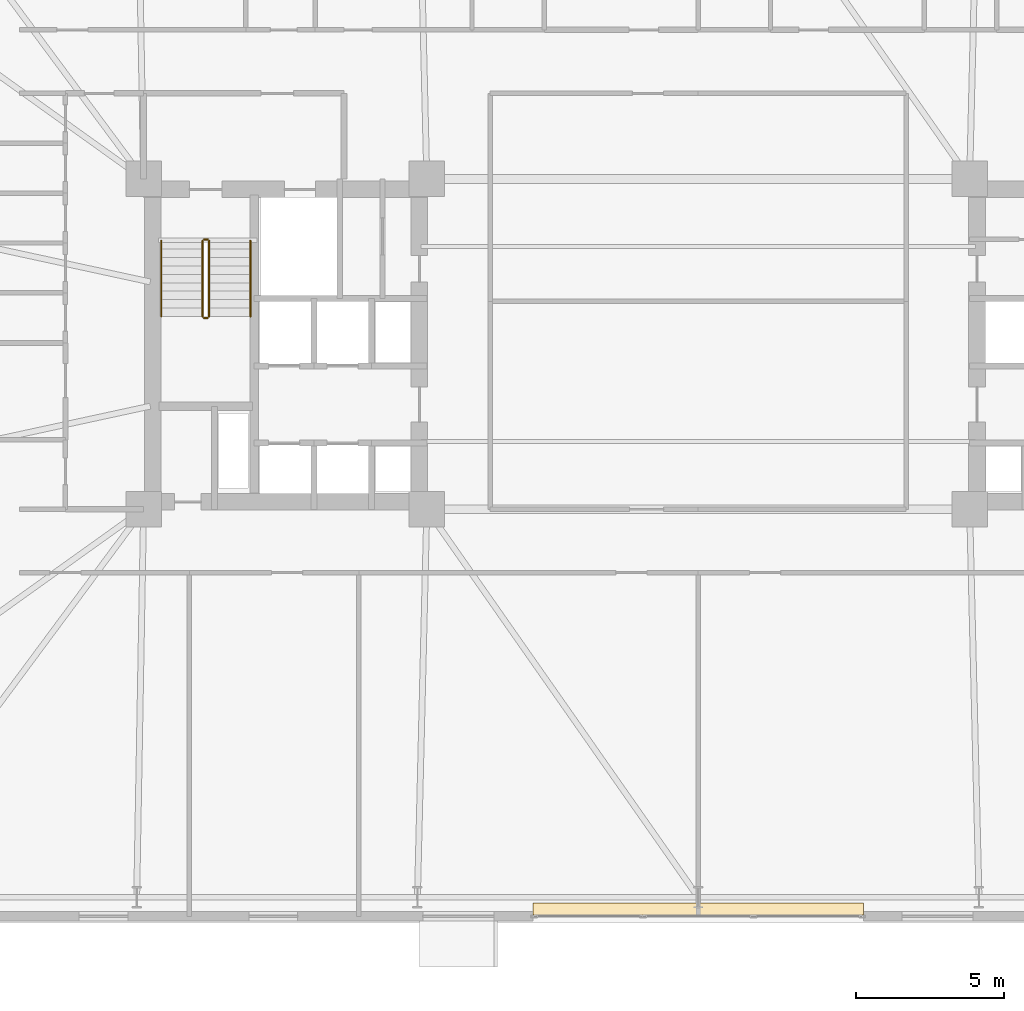
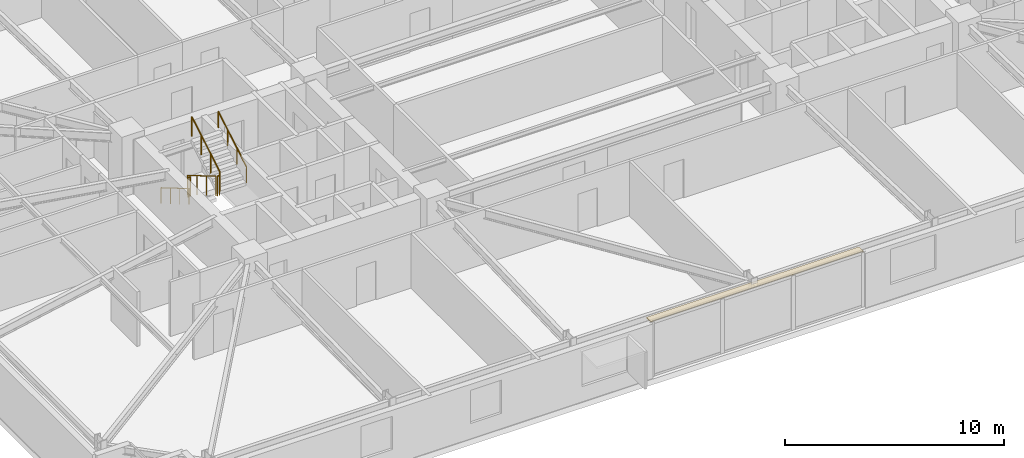
# One storey, part 23 of 24: 6 railings, 1 covering.
"""IFC4 building model written with IfcOpenShell, lengths in metres."""

from ifc_helpers import new_model, si_unit, direction, frame, origin, origin_2d, place, context, subcontext, project, spatial, polyline, circle, outline, extrude, material, layer, layer_set, type_object, element, save


model = new_model("IFC4")

# Units and contexts
model_context = context("Model", 3, precision=1e-05, world=origin(), true_north=direction((0.0, 1.0)))
body_context = subcontext(model_context, "Body", "Model", "MODEL_VIEW")
ifc_project = project(units=[si_unit("LENGTHUNIT", "METRE"), si_unit("AREAUNIT", "SQUARE_METRE"), si_unit("VOLUMEUNIT", "CUBIC_METRE"), si_unit("PLANEANGLEUNIT", "RADIAN"), si_unit("MASSUNIT", "GRAM", prefix="KILO")], contexts=[model_context])

# Site, building, storey
site_placement = place(None, origin())
site = spatial("IfcSite", under=ifc_project, at=site_placement, CompositionType="ELEMENT")
building_placement = place(site_placement, origin())
building = spatial("IfcBuilding", under=site, at=building_placement, Name="Qobustan Lattice House", CompositionType="ELEMENT")
storey_placement = place(building_placement, frame((0.0, 0.0, 50.449951171875)))
storey = spatial("IfcBuildingStorey", under=building, at=storey_placement, Name="L13", CompositionType="ELEMENT", Elevation=50.449951171875)

# Covering
ifc_material_1 = material(Name="Persian walnut timber lining", Category="wood")
ifc_layer = layer(ifc_material_1, 0.0380859375)
ifc_layer_set = layer_set([ifc_layer], Name="Persian walnut timber lining")
covering_type = type_object("IfcCoveringType", Name="COV-WALNUT-IWAN", PredefinedType="CLADDING", material=ifc_layer_set)
covering_placement = place(storey_placement, frame((0.0, 0.0, 2.9970703125)))
element("IfcCovering", 1, at=covering_placement, inside=storey, type_object=covering_type, Name="L13 IWAN-1 Persian walnut soffit cladding", PredefinedType="CLADDING", context=body_context, shape_type="SweptSolid", body=[
    extrude(outline(polyline([(5.60009765625, -19.35009765625), (-5.60009765625, -19.35009765625), (-5.60009765625, -18.949951171875), (5.60009765625, -18.949951171875), (5.60009765625, -19.35009765625)])), origin(), (0.0, 0.0, 1.0), 0.0380859375),
])

# Railings
ifc_material_2 = material(Name="Brushed stainless steel handrail", Category="steel")
railing_type_1 = type_object("IfcRailingType", Name="RAL-HR-920", PredefinedType="HANDRAIL", material=ifc_material_2)
railing_1_placement = place(storey_placement, frame((-18.199951171875, 3.5, 0.16748046875)))
element("IfcRailing", 2, at=railing_1_placement, inside=storey, type_object=railing_type_1, Name="L13 ST-W1 stair handrail 1", PredefinedType="HANDRAIL", context=body_context, shape_type="SweptSolid", body=[
    extrude(circle(Radius=0.02392578125, at=origin_2d()), frame((0.0, 0.0, 0.8759765625), z_axis=(0.0, -0.862113467892, 0.50671527358), x_axis=(1.0, 0.0, 0.0)), (0.0, 0.0, 1.0), 2.97509765625),
    extrude(circle(Radius=0.02099609375, at=origin_2d()), origin(), (0.0, 0.0, 1.0), 0.851806640625),
    extrude(circle(Radius=0.02099609375, at=origin_2d()), frame((0.0, -0.85498046875, 0.50244140625)), (0.0, 0.0, 1.0), 0.851806640625),
    extrude(circle(Radius=0.02099609375, at=origin_2d()), frame((0.0, -1.7099609375, 1.005126953125)), (0.0, 0.0, 1.0), 0.851806640625),
    extrude(circle(Radius=0.02099609375, at=origin_2d()), frame((0.0, -2.56494140625, 1.507568359375)), (0.0, 0.0, 1.0), 0.851806640625),
])
railing_2_placement = place(storey_placement, frame((-15.179931640625, 0.93505859375, 1.842529296875)))
element("IfcRailing", 3, at=railing_2_placement, inside=storey, type_object=railing_type_1, Name="L13 ST-W1 stair handrail 2", PredefinedType="HANDRAIL", context=body_context, shape_type="SweptSolid", body=[
    extrude(circle(Radius=0.02392578125, at=origin_2d()), frame((0.0, 0.0, 0.8759765625), z_axis=(0.0, 0.862113467892, 0.50671527358), x_axis=(-1.0, 0.0, 0.0)), (0.0, 0.0, 1.0), 2.97509765625),
    extrude(circle(Radius=0.02099609375, at=origin_2d()), origin(), (0.0, 0.0, 1.0), 0.851806640625),
    extrude(circle(Radius=0.02099609375, at=origin_2d()), frame((0.0, 0.85498046875, 0.50244140625)), (0.0, 0.0, 1.0), 0.851806640625),
    extrude(circle(Radius=0.02099609375, at=origin_2d()), frame((0.0, 1.7099609375, 1.005126953125)), (0.0, 0.0, 1.0), 0.851806640625),
    extrude(circle(Radius=0.02099609375, at=origin_2d()), frame((0.0, 2.56494140625, 1.507568359375)), (0.0, 0.0, 1.0), 0.851806640625),
])
ifc_material_3 = material(Name="Painted galvanized steel guardrail", Category="steel")
railing_type_2 = type_object("IfcRailingType", Name="RAL-STG-1150", PredefinedType="GUARDRAIL", material=ifc_material_3)
railing_3_placement = place(storey_placement, frame((-16.800048828125, 3.5, 0.16748046875)))
element("IfcRailing", 4, at=railing_3_placement, inside=storey, type_object=railing_type_2, Name="L13 ST-W1 stair guard 1", PredefinedType="GUARDRAIL", context=body_context, shape_type="SweptSolid", body=[
    extrude(circle(Radius=0.02392578125, at=origin_2d()), frame((0.0, 0.0, 1.076171875), z_axis=(0.0, -0.862113467892, 0.50671527358), x_axis=(1.0, 0.0, 0.0)), (0.0, 0.0, 1.0), 2.97509765625),
    extrude(circle(Radius=0.02099609375, at=origin_2d()), origin(), (0.0, 0.0, 1.0), 1.052001953125),
    extrude(circle(Radius=0.02099609375, at=origin_2d()), frame((0.0, -0.85498046875, 0.50244140625)), (0.0, 0.0, 1.0), 1.052001953125),
    extrude(circle(Radius=0.02099609375, at=origin_2d()), frame((0.0, -1.7099609375, 1.005126953125)), (0.0, 0.0, 1.0), 1.052001953125),
    extrude(circle(Radius=0.02099609375, at=origin_2d()), frame((0.0, -2.56494140625, 1.507568359375)), (0.0, 0.0, 1.0), 1.052001953125),
])
railing_4_placement = place(storey_placement, frame((-16.75, 0.885009765625, 1.675048828125)))
element("IfcRailing", 5, at=railing_4_placement, inside=storey, type_object=railing_type_2, Name="L13 ST-W1 stair guard 2", PredefinedType="GUARDRAIL", context=body_context, shape_type="SweptSolid", body=[
    extrude(circle(Radius=0.02392578125, at=origin_2d()), frame((0.0, 0.0, 1.076171875), z_axis=(1.0, 0.0, 0.0), x_axis=(0.0, 1.0, 0.0)), (0.0, 0.0, 1.0), 0.1201171875),
    extrude(circle(Radius=0.02099609375, at=origin_2d()), origin(), (0.0, 0.0, 1.0), 1.052001953125),
    extrude(circle(Radius=0.02099609375, at=origin_2d()), frame((0.1201171875, 0.0, 0.0)), (0.0, 0.0, 1.0), 1.052001953125),
])
railing_5_placement = place(storey_placement, frame((-16.580078125, 0.93505859375, 1.842529296875)))
element("IfcRailing", 6, at=railing_5_placement, inside=storey, type_object=railing_type_2, Name="L13 ST-W1 stair guard 3", PredefinedType="GUARDRAIL", context=body_context, shape_type="SweptSolid", body=[
    extrude(circle(Radius=0.02392578125, at=origin_2d()), frame((0.0, 0.0, 1.076171875), z_axis=(0.0, 0.862113467892, 0.50671527358), x_axis=(-1.0, 0.0, 0.0)), (0.0, 0.0, 1.0), 2.97509765625),
    extrude(circle(Radius=0.02099609375, at=origin_2d()), origin(), (0.0, 0.0, 1.0), 1.052001953125),
    extrude(circle(Radius=0.02099609375, at=origin_2d()), frame((0.0, 0.85498046875, 0.50244140625)), (0.0, 0.0, 1.0), 1.052001953125),
    extrude(circle(Radius=0.02099609375, at=origin_2d()), frame((0.0, 1.7099609375, 1.005126953125)), (0.0, 0.0, 1.0), 1.052001953125),
    extrude(circle(Radius=0.02099609375, at=origin_2d()), frame((0.0, 2.56494140625, 1.507568359375)), (0.0, 0.0, 1.0), 1.052001953125),
])
railing_6_placement = place(storey_placement, frame((-16.75, 3.550048828125, 0.0)))
element("IfcRailing", 7, at=railing_6_placement, inside=storey, type_object=railing_type_2, Name="L13 ST-W1 stair guard 4", PredefinedType="GUARDRAIL", context=body_context, shape_type="SweptSolid", body=[
    extrude(circle(Radius=0.02392578125, at=origin_2d()), frame((0.0, 0.0, 1.076171875), z_axis=(1.0, 0.0, 0.0), x_axis=(0.0, 1.0, 0.0)), (0.0, 0.0, 1.0), 0.1201171875),
    extrude(circle(Radius=0.02099609375, at=origin_2d()), origin(), (0.0, 0.0, 1.0), 1.052001953125),
    extrude(circle(Radius=0.02099609375, at=origin_2d()), frame((0.1201171875, 0.0, 0.0)), (0.0, 0.0, 1.0), 1.052001953125),
])

save(model, "model.ifc")
